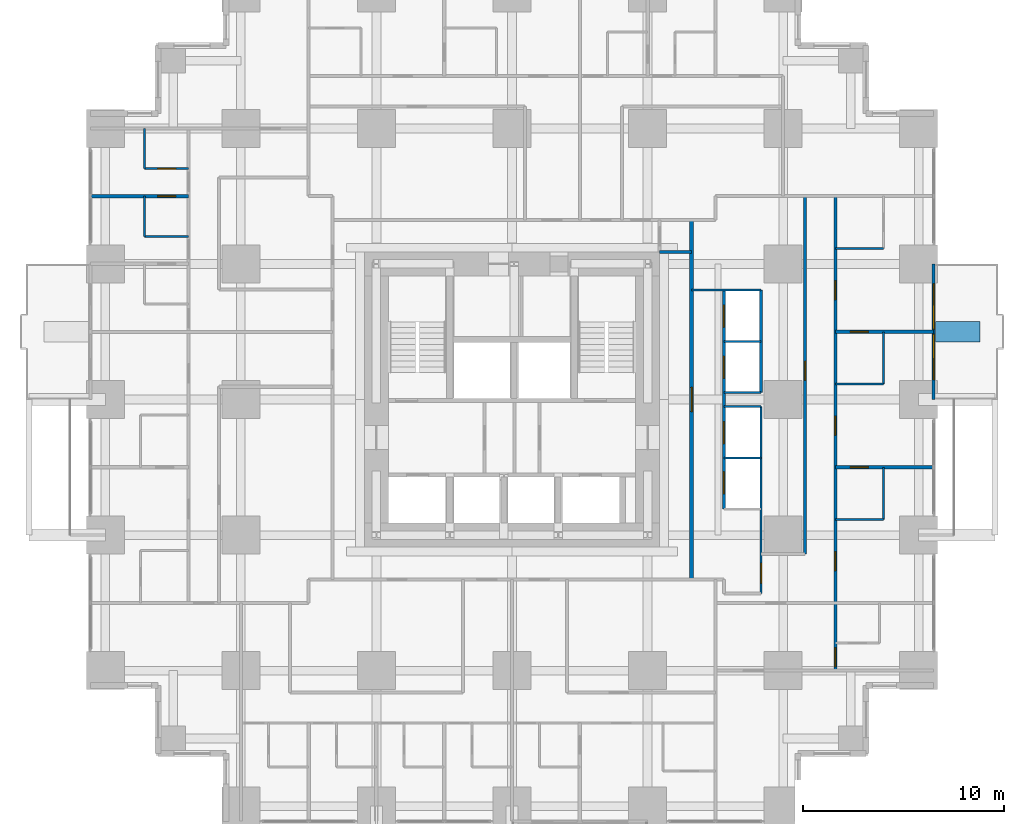
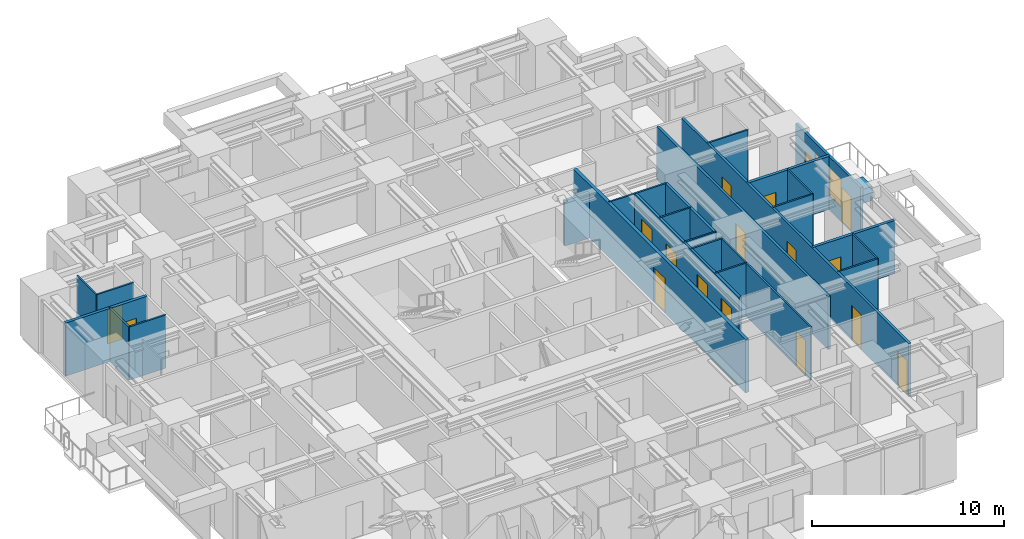
# One storey, part 11 of 14: 26 walls, 17 doors, 2 windows, 19 openings.
"""IFC4 building model written with IfcOpenShell, lengths in metres."""

from ifc_helpers import new_model, si_unit, direction, frame, frame_2d, origin, place, context, subcontext, project, spatial, rectangle, extrude, material, layer, layer_set, type_object, element, fill, save


model = new_model("IFC4")

# Units and contexts
model_context = context("Model", 3, precision=1e-05, world=origin(), true_north=direction((0.0, 1.0)))
body_context = subcontext(model_context, "Body", "Model", "MODEL_VIEW")
ifc_project = project(units=[si_unit("LENGTHUNIT", "METRE"), si_unit("AREAUNIT", "SQUARE_METRE"), si_unit("VOLUMEUNIT", "CUBIC_METRE"), si_unit("PLANEANGLEUNIT", "RADIAN"), si_unit("MASSUNIT", "GRAM", prefix="KILO")], contexts=[model_context])

# Site, building, storey
site_placement = place(None, origin())
site = spatial("IfcSite", under=ifc_project, at=site_placement, CompositionType="ELEMENT")
building_placement = place(site_placement, origin())
building = spatial("IfcBuilding", under=site, at=building_placement, Name="Nyansa Garden Tower", CompositionType="ELEMENT")
storey_placement = place(building_placement, frame((0.0, 0.0, 21.60009765625)))
storey = spatial("IfcBuildingStorey", under=building, at=storey_placement, Name="L05", CompositionType="ELEMENT", Elevation=21.60009765625)

# Wall, opening, door
ifc_material_1 = material(Name="Dense blockwork, plastered both sides, 55 dB", Category="masonry")
ifc_layer_1 = layer(ifc_material_1, 0.175048828125)
ifc_layer_set_1 = layer_set([ifc_layer_1], Name="Acoustic party wall PW175")
wall_type_1 = type_object("IfcWallType", Name="Acoustic party wall PW175", PredefinedType="PARTITIONING", material=ifc_layer_set_1)
wall_1_placement = place(storey_placement, frame((-0.73388671875, 30.375, 0.0), z_axis=(0.0, 0.0, 1.0), x_axis=(1.0, 0.0, 0.0)))
wall_1 = element("IfcWall", 1, at=wall_1_placement, inside=storey, type_object=wall_type_1, Name="Party wall", PredefinedType="PARTITIONING", context=body_context, shape_type="SweptSolid", body=[
    extrude(rectangle(XDim=4.8837890625, YDim=0.175048828125, at=frame_2d((2.44189453125, 0.0))), origin(), (0.0, 0.0, 1.0), 3.375),
])
opening_1_placement = place(wall_1_placement, frame((3.333984375, 0.0, 0.0)))
opening_1 = element("IfcOpeningElement", 2, at=opening_1_placement, cuts=wall_1, Name="Opening D02", PredefinedType="OPENING", context=body_context, shape_type="SweptSolid", body=[
    extrude(rectangle(XDim=0.89990234375, YDim=2.199951171875, at=frame_2d((0.449951171875, 1.10009765625))), frame((0.0, 0.097412109375, 0.0), z_axis=(0.0, -1.0, 0.0), x_axis=(1.0, 0.0, 0.0)), (0.0, 0.0, 1.0), 0.195068359375),
])
ifc_material_2 = material(Name="Timber flush door", Category="wood")
door_type_1 = type_object("IfcDoorType", Name="En-suite door D02 900x2200", OperationType="SINGLE_SWING_RIGHT", PredefinedType="DOOR", material=ifc_material_2)
door_1_placement = place(opening_1_placement, origin())
door_1 = element("IfcDoor", 3, at=door_1_placement, inside=storey, type_object=door_type_1, Name="Door L05-064", OperationType="SINGLE_SWING_RIGHT", OverallHeight=2.199951171875, OverallWidth=0.89990234375, PredefinedType="DOOR", context=body_context, shape_type="SweptSolid", body=[
    extrude(rectangle(XDim=0.89990234375, YDim=2.199951171875, at=frame_2d((0.449951171875, 1.10009765625))), frame((0.0, 0.02490234375, 0.0), z_axis=(0.0, -1.0, 0.0), x_axis=(1.0, 0.0, 0.0)), (0.0, 0.0, 1.0), 0.050048828125),
])
fill(opening_1, door_1)

wall_2_placement = place(storey_placement, frame((36.35009765625, 16.875, 0.0), z_axis=(0.0, 0.0, 1.0), x_axis=(1.0, 0.0, 0.0)))
wall_2 = element("IfcWall", 4, at=wall_2_placement, inside=storey, type_object=wall_type_1, Name="Party wall", PredefinedType="PARTITIONING", context=body_context, shape_type="SweptSolid", body=[
    extrude(rectangle(XDim=4.8837890625, YDim=0.175048828125, at=frame_2d((2.44189453125, 0.0))), origin(), (0.0, 0.0, 1.0), 3.375),
])
opening_2_placement = place(wall_2_placement, frame((0.75, 0.0, 0.0)))
opening_2 = element("IfcOpeningElement", 5, at=opening_2_placement, cuts=wall_2, Name="Opening D02", PredefinedType="OPENING", context=body_context, shape_type="SweptSolid", body=[
    extrude(rectangle(XDim=0.89990234375, YDim=2.199951171875, at=frame_2d((0.449951171875, 1.10009765625))), frame((0.0, 0.097412109375, 0.0), z_axis=(0.0, -1.0, 0.0), x_axis=(1.0, 0.0, 0.0)), (0.0, 0.0, 1.0), 0.195068359375),
])
door_2_placement = place(opening_2_placement, origin())
door_2 = element("IfcDoor", 6, at=door_2_placement, inside=storey, type_object=door_type_1, Name="Door L05-044", OperationType="SINGLE_SWING_RIGHT", OverallHeight=2.199951171875, OverallWidth=0.89990234375, PredefinedType="DOOR", context=body_context, shape_type="SweptSolid", body=[
    extrude(rectangle(XDim=0.89990234375, YDim=2.199951171875, at=frame_2d((0.449951171875, 1.10009765625))), frame((0.0, 0.02490234375, 0.0), z_axis=(0.0, -1.0, 0.0), x_axis=(1.0, 0.0, 0.0)), (0.0, 0.0, 1.0), 0.050048828125),
])
fill(opening_2, door_2)

wall_3_placement = place(storey_placement, frame((36.35009765625, 23.625, 0.0), z_axis=(0.0, 0.0, 1.0), x_axis=(1.0, 0.0, 0.0)))
wall_3 = element("IfcWall", 7, at=wall_3_placement, inside=storey, type_object=wall_type_1, Name="Party wall", PredefinedType="PARTITIONING", context=body_context, shape_type="SweptSolid", body=[
    extrude(rectangle(XDim=4.8837890625, YDim=0.175048828125, at=frame_2d((2.44189453125, 0.0))), origin(), (0.0, 0.0, 1.0), 3.375),
])
opening_3_placement = place(wall_3_placement, frame((0.75, 0.0, 0.0)))
opening_3 = element("IfcOpeningElement", 8, at=opening_3_placement, cuts=wall_3, Name="Opening D02", PredefinedType="OPENING", context=body_context, shape_type="SweptSolid", body=[
    extrude(rectangle(XDim=0.89990234375, YDim=2.199951171875, at=frame_2d((0.449951171875, 1.10009765625))), frame((0.0, 0.097412109375, 0.0), z_axis=(0.0, -1.0, 0.0), x_axis=(1.0, 0.0, 0.0)), (0.0, 0.0, 1.0), 0.195068359375),
])
door_3_placement = place(opening_3_placement, origin())
door_3 = element("IfcDoor", 9, at=door_3_placement, inside=storey, type_object=door_type_1, Name="Door L05-042", OperationType="SINGLE_SWING_RIGHT", OverallHeight=2.199951171875, OverallWidth=0.89990234375, PredefinedType="DOOR", context=body_context, shape_type="SweptSolid", body=[
    extrude(rectangle(XDim=0.89990234375, YDim=2.199951171875, at=frame_2d((0.449951171875, 1.10009765625))), frame((0.0, 0.02490234375, 0.0), z_axis=(0.0, -1.0, 0.0), x_axis=(1.0, 0.0, 0.0)), (0.0, 0.0, 1.0), 0.050048828125),
])
fill(opening_3, door_3)

# Wall, openings, doors, windows
ifc_material_3 = material(Name="Black aluminium framed glazed screen", Category="aluminium")
ifc_layer_2 = layer(ifc_material_3, 0.14990234375)
ifc_layer_set_2 = layer_set([ifc_layer_2], Name="Balcony screen wall BW150")
wall_type_2 = type_object("IfcWallType", Name="Balcony screen wall BW150", PredefinedType="SOLIDWALL", material=ifc_layer_set_2)
wall_4_placement = place(storey_placement, frame((41.25, 27.0, 0.0), z_axis=(0.0, 0.0, 1.0), x_axis=(0.0, -1.0, 0.0)))
wall_4 = element("IfcWall", 10, at=wall_4_placement, inside=storey, type_object=wall_type_2, Name="Glazed screen wall L05 E", PredefinedType="SOLIDWALL", context=body_context, shape_type="SweptSolid", body=[
    extrude(rectangle(XDim=6.75, YDim=0.14990234375, at=frame_2d((3.375, 0.0))), origin(), (0.0, 0.0, 1.0), 3.375),
])
opening_4_placement = place(wall_4_placement, frame((0.995849609375, 0.0, 0.0)))
opening_4 = element("IfcOpeningElement", 11, at=opening_4_placement, cuts=wall_4, Name="Opening D20", PredefinedType="OPENING", context=body_context, shape_type="SweptSolid", body=[
    extrude(rectangle(XDim=1.0, YDim=2.199951171875, at=frame_2d((0.5, 1.10009765625))), frame((0.0, 0.0849609375, 0.0), z_axis=(0.0, -1.0, 0.0), x_axis=(1.0, 0.0, 0.0)), (0.0, 0.0, 1.0), 0.169921875),
])
opening_5_placement = place(wall_4_placement, frame((2.041748046875, 0.0, 0.89990234375)))
opening_5 = element("IfcOpeningElement", 12, at=opening_5_placement, cuts=wall_4, Name="Opening W6", PredefinedType="OPENING", context=body_context, shape_type="SweptSolid", body=[
    extrude(rectangle(XDim=1.199951171875, YDim=1.800048828125, at=frame_2d((0.60009765625, 0.89990234375))), frame((0.0, 0.0849609375, 0.0), z_axis=(0.0, -1.0, 0.0), x_axis=(1.0, 0.0, 0.0)), (0.0, 0.0, 1.0), 0.169921875),
])
opening_6_placement = place(wall_4_placement, frame((4.754150390625, 0.0, 0.0)))
opening_6 = element("IfcOpeningElement", 13, at=opening_6_placement, cuts=wall_4, Name="Opening D20", PredefinedType="OPENING", context=body_context, shape_type="SweptSolid", body=[
    extrude(rectangle(XDim=1.0, YDim=2.199951171875, at=frame_2d((0.5, 1.10009765625))), frame((0.0, 0.0849609375, 0.0), z_axis=(0.0, -1.0, 0.0), x_axis=(1.0, 0.0, 0.0)), (0.0, 0.0, 1.0), 0.169921875),
])
opening_7_placement = place(wall_4_placement, frame((3.50830078125, 0.0, 0.89990234375)))
opening_7 = element("IfcOpeningElement", 14, at=opening_7_placement, cuts=wall_4, Name="Opening W6", PredefinedType="OPENING", context=body_context, shape_type="SweptSolid", body=[
    extrude(rectangle(XDim=1.199951171875, YDim=1.800048828125, at=frame_2d((0.60009765625, 0.89990234375))), frame((0.0, 0.0849609375, 0.0), z_axis=(0.0, -1.0, 0.0), x_axis=(1.0, 0.0, 0.0)), (0.0, 0.0, 1.0), 0.169921875),
])
ifc_material_4 = material(Name="Black aluminium framed glazed door", Category="aluminium")
door_type_2 = type_object("IfcDoorType", Name="Balcony door D20 1000x2200", OperationType="NOTDEFINED", PredefinedType="DOOR", material=ifc_material_4)
door_4_placement = place(opening_4_placement, origin())
door_4 = element("IfcDoor", 15, at=door_4_placement, inside=storey, type_object=door_type_2, Name="Balcony door L05", OperationType="SINGLE_SWING_LEFT", OverallHeight=2.199951171875, OverallWidth=1.0, PredefinedType="DOOR", context=body_context, shape_type="SweptSolid", body=[
    extrude(rectangle(XDim=1.0, YDim=2.199951171875, at=frame_2d((0.5, 1.10009765625))), frame((0.0, 0.02490234375, 0.0), z_axis=(0.0, -1.0, 0.0), x_axis=(1.0, 0.0, 0.0)), (0.0, 0.0, 1.0), 0.050048828125),
])
fill(opening_4, door_4)
door_5_placement = place(opening_6_placement, origin())
door_5 = element("IfcDoor", 16, at=door_5_placement, inside=storey, type_object=door_type_2, Name="Balcony door L05", OperationType="SINGLE_SWING_RIGHT", OverallHeight=2.199951171875, OverallWidth=1.0, PredefinedType="DOOR", context=body_context, shape_type="SweptSolid", body=[
    extrude(rectangle(XDim=1.0, YDim=2.199951171875, at=frame_2d((0.5, 1.10009765625))), frame((0.0, 0.02490234375, 0.0), z_axis=(0.0, -1.0, 0.0), x_axis=(1.0, 0.0, 0.0)), (0.0, 0.0, 1.0), 0.050048828125),
])
fill(opening_6, door_5)
ifc_material_5 = material(Name="Black aluminium frame, dark tinted double glazing", Category="aluminium")
window_type = type_object("IfcWindowType", Name="Balcony window W6 1200x1800", PartitioningType="SINGLE_PANEL", PredefinedType="WINDOW", material=ifc_material_5)
window_1_placement = place(opening_5_placement, origin())
window_1 = element("IfcWindow", 17, at=window_1_placement, inside=storey, type_object=window_type, Name="Window L05", OverallHeight=1.800048828125, OverallWidth=1.199951171875, PartitioningType="SINGLE_PANEL", PredefinedType="WINDOW", context=body_context, shape_type="SweptSolid", body=[
    extrude(rectangle(XDim=1.199951171875, YDim=1.800048828125, at=frame_2d((0.60009765625, 0.89990234375))), frame((0.0, 0.030029296875, 0.0), z_axis=(0.0, -1.0, 0.0), x_axis=(1.0, 0.0, 0.0)), (0.0, 0.0, 1.0), 0.06005859375),
])
fill(opening_5, window_1)
window_2_placement = place(opening_7_placement, origin())
window_2 = element("IfcWindow", 18, at=window_2_placement, inside=storey, type_object=window_type, Name="Window L05", OverallHeight=1.800048828125, OverallWidth=1.199951171875, PartitioningType="SINGLE_PANEL", PredefinedType="WINDOW", context=body_context, shape_type="SweptSolid", body=[
    extrude(rectangle(XDim=1.199951171875, YDim=1.800048828125, at=frame_2d((0.60009765625, 0.89990234375))), frame((0.0, 0.030029296875, 0.0), z_axis=(0.0, -1.0, 0.0), x_axis=(1.0, 0.0, 0.0)), (0.0, 0.0, 1.0), 0.06005859375),
])
fill(opening_7, window_2)

# Wall, opening, door
ifc_material_6 = material(Name="Concrete blockwork, plastered, 60 minute fire resisting", Category="masonry")
ifc_layer_3 = layer(ifc_material_6, 0.199951171875)
ifc_layer_set_3 = layer_set([ifc_layer_3], Name="Corridor wall FW200")
wall_type_3 = type_object("IfcWallType", Name="Corridor wall FW200", PredefinedType="PARTITIONING", material=ifc_layer_set_3)
wall_5_placement = place(storey_placement, frame((29.199951171875, 11.300048828125, 0.0), z_axis=(0.0, 0.0, 1.0), x_axis=(0.0, 1.0, 0.0)))
wall_5 = element("IfcWall", 19, at=wall_5_placement, inside=storey, type_object=wall_type_3, Name="Corridor wall", PredefinedType="PARTITIONING", context=body_context, shape_type="SweptSolid", body=[
    extrude(rectangle(XDim=17.89990234375, YDim=0.199951171875, at=frame_2d((8.949951171875, 0.0))), origin(), (0.0, 0.0, 1.0), 3.375),
])
opening_8_placement = place(wall_5_placement, frame((8.35009765625, 0.0, 0.0)))
opening_8 = element("IfcOpeningElement", 20, at=opening_8_placement, cuts=wall_5, Name="Opening D06", PredefinedType="OPENING", context=body_context, shape_type="SweptSolid", body=[
    extrude(rectangle(XDim=1.199951171875, YDim=2.199951171875, at=frame_2d((0.60009765625, 1.10009765625))), frame((0.0, 0.10986328125, 0.0), z_axis=(0.0, -1.0, 0.0), x_axis=(1.0, 0.0, 0.0)), (0.0, 0.0, 1.0), 0.219970703125),
])
ifc_material_7 = material(Name="Steel door, 120 minute fire resisting", Category="steel")
door_type_3 = type_object("IfcDoorType", Name="Lobby door D06 1200x2200", OperationType="DOUBLE_DOOR_SINGLE_SWING", PredefinedType="DOOR", material=ifc_material_7)
door_6_placement = place(opening_8_placement, origin())
door_6 = element("IfcDoor", 21, at=door_6_placement, inside=storey, type_object=door_type_3, Name="Low-rise lift lobby door", OperationType="DOUBLE_DOOR_SINGLE_SWING", OverallHeight=2.199951171875, OverallWidth=1.199951171875, PredefinedType="DOOR", context=body_context, shape_type="SweptSolid", body=[
    extrude(rectangle(XDim=1.199951171875, YDim=2.199951171875, at=frame_2d((0.60009765625, 1.10009765625))), frame((0.0, 0.02490234375, 0.0), z_axis=(0.0, -1.0, 0.0), x_axis=(1.0, 0.0, 0.0)), (0.0, 0.0, 1.0), 0.050048828125),
])
fill(opening_8, door_6)

# Walls
ifc_material_8 = material(Name="Steel-stud shaft wall, two layers fire-rated board, EI 120", Category="steel")
ifc_layer_4 = layer(ifc_material_8, 0.10009765625)
ifc_layer_set_4 = layer_set([ifc_layer_4], Name="Lift shaft wall SW100")
wall_type_4 = type_object("IfcWallType", Name="Lift shaft wall SW100", PredefinedType="SHEAR", material=ifc_layer_set_4)
wall_6_placement = place(storey_placement, frame((29.199951171875, 25.699951171875, 0.0), z_axis=(0.0, 0.0, 1.0), x_axis=(1.0, 0.0, 0.0)))
element("IfcWall", 22, at=wall_6_placement, inside=storey, type_object=wall_type_4, Name="Lift shaft wall", PredefinedType="SHEAR", context=body_context, shape_type="SweptSolid", body=[
    extrude(rectangle(XDim=3.449951171875, YDim=0.10009765625, at=frame_2d((1.72509765625, 0.0))), origin(), (0.0, 0.0, 1.0), 3.375),
])
for number, where, z_axis, x_axis, name in (
    (23, (30.800048828125, 17.35009765625, 0.0), (0.0, 0.0, 1.0), (1.0, 0.0, 0.0), "Lift shaft wall"),
    (24, (30.800048828125, 19.89990234375, 0.0), (0.0, 0.0, 1.0), (1.0, 0.0, 0.0), "Lift shaft wall"),
    (25, (30.800048828125, 20.60009765625, 0.0), (0.0, 0.0, 1.0), (1.0, 0.0, 0.0), "Lift shaft wall"),
    (26, (30.800048828125, 23.14990234375, 0.0), (0.0, 0.0, 1.0), (1.0, 0.0, 0.0), "Lift shaft wall"),
):
    element("IfcWall", number, at=place(storey_placement, frame(where, z_axis=z_axis, x_axis=x_axis)), inside=storey, type_object=wall_type_4, Name=name, PredefinedType="SHEAR", context=body_context, shape_type="SweptSolid", body=[
        extrude(rectangle(XDim=1.849853515625, YDim=0.10009765625, at=frame_2d((0.9248046875, 0.0))), origin(), (0.0, 0.0, 1.0), 3.375),
    ])

# Wall, opening, door
wall_7_placement = place(storey_placement, frame((32.64990234375, 10.60009765625, 0.0), z_axis=(0.0, 0.0, 1.0), x_axis=(0.0, 1.0, 0.0)))
wall_7 = element("IfcWall", 27, at=wall_7_placement, inside=storey, type_object=wall_type_4, Name="Lift shaft wall", PredefinedType="SHEAR", context=body_context, shape_type="SweptSolid", body=[
    extrude(rectangle(XDim=9.2998046875, YDim=0.10009765625, at=frame_2d((4.64990234375, 0.0))), origin(), (0.0, 0.0, 1.0), 3.375),
])
opening_9_placement = place(wall_7_placement, frame((0.5, 0.0, 0.0)))
opening_9 = element("IfcOpeningElement", 28, at=opening_9_placement, cuts=wall_7, Name="Opening D03", PredefinedType="OPENING", context=body_context, shape_type="SweptSolid", body=[
    extrude(rectangle(XDim=1.0, YDim=2.199951171875, at=frame_2d((0.5, 1.10009765625))), frame((0.0, 0.06005859375, 0.0), z_axis=(0.0, -1.0, 0.0), x_axis=(1.0, 0.0, 0.0)), (0.0, 0.0, 1.0), 0.1201171875),
])
ifc_material_9 = material(Name="Timber flush door, 60 minute fire resisting", Category="wood")
door_type_4 = type_object("IfcDoorType", Name="Cluster entrance door D03 1000x2200", OperationType="SINGLE_SWING_LEFT", PredefinedType="DOOR", material=ifc_material_9)
door_7_placement = place(opening_9_placement, origin())
door_7 = element("IfcDoor", 29, at=door_7_placement, inside=storey, type_object=door_type_4, Name="Door L05-045", OperationType="SINGLE_SWING_LEFT", OverallHeight=2.199951171875, OverallWidth=1.0, PredefinedType="DOOR", context=body_context, shape_type="SweptSolid", body=[
    extrude(rectangle(XDim=1.0, YDim=2.199951171875, at=frame_2d((0.5, 1.10009765625))), frame((0.0, 0.02490234375, 0.0), z_axis=(0.0, -1.0, 0.0), x_axis=(1.0, 0.0, 0.0)), (0.0, 0.0, 1.0), 0.050048828125),
])
fill(opening_9, door_7)

# Wall
ifc_material_10 = material(Name="Blockwork, plastered both sides", Category="masonry")
ifc_layer_5 = layer(ifc_material_10, 0.14990234375)
ifc_layer_set_5 = layer_set([ifc_layer_5], Name="Partition PW150")
wall_type_5 = type_object("IfcWallType", Name="Partition PW150", PredefinedType="PARTITIONING", material=ifc_layer_set_5)
wall_8_placement = place(storey_placement, frame((27.60009765625, 27.60009765625, 0.0), z_axis=(0.0, 0.0, 1.0), x_axis=(1.0, 0.0, 0.0)))
element("IfcWall", 30, at=wall_8_placement, inside=storey, type_object=wall_type_5, Name="Partition", PredefinedType="PARTITIONING", context=body_context, shape_type="SweptSolid", body=[
    extrude(rectangle(XDim=1.599853515625, YDim=0.14990234375, at=frame_2d((0.7998046875, 0.0))), origin(), (0.0, 0.0, 1.0), 2.876953125),
])

# Wall, openings, doors
wall_9_placement = place(storey_placement, frame((30.800048828125, 14.800048828125, 0.0), z_axis=(0.0, 0.0, 1.0), x_axis=(0.0, 1.0, 0.0)))
wall_9 = element("IfcWall", 31, at=wall_9_placement, inside=storey, type_object=wall_type_5, Name="Partition", PredefinedType="PARTITIONING", context=body_context, shape_type="SweptSolid", body=[
    extrude(rectangle(XDim=10.89990234375, YDim=0.14990234375, at=frame_2d((5.449951171875, 0.0))), origin(), (0.0, 0.0, 1.0), 3.375),
])
opening_10_placement = place(wall_9_placement, frame((0.75, 0.0, 0.0)))
opening_10 = element("IfcOpeningElement", 32, at=opening_10_placement, cuts=wall_9, Name="Opening LD-A", PredefinedType="OPENING", context=body_context, shape_type="SweptSolid", body=[
    extrude(rectangle(XDim=1.10009765625, YDim=2.199951171875, at=frame_2d((0.550048828125, 1.10009765625))), frame((0.0, 0.0849609375, 0.0), z_axis=(0.0, -1.0, 0.0), x_axis=(1.0, 0.0, 0.0)), (0.0, 0.0, 1.0), 0.169921875),
])
opening_11_placement = place(wall_9_placement, frame((3.25, 0.0, 0.0)))
opening_11 = element("IfcOpeningElement", 33, at=opening_11_placement, cuts=wall_9, Name="Opening LD-A", PredefinedType="OPENING", context=body_context, shape_type="SweptSolid", body=[
    extrude(rectangle(XDim=1.10009765625, YDim=2.199951171875, at=frame_2d((0.550048828125, 1.10009765625))), frame((0.0, 0.0849609375, 0.0), z_axis=(0.0, -1.0, 0.0), x_axis=(1.0, 0.0, 0.0)), (0.0, 0.0, 1.0), 0.169921875),
])
opening_12_placement = place(wall_9_placement, frame((6.5, 0.0, 0.0)))
opening_12 = element("IfcOpeningElement", 34, at=opening_12_placement, cuts=wall_9, Name="Opening LD-A", PredefinedType="OPENING", context=body_context, shape_type="SweptSolid", body=[
    extrude(rectangle(XDim=1.10009765625, YDim=2.199951171875, at=frame_2d((0.550048828125, 1.10009765625))), frame((0.0, 0.0849609375, 0.0), z_axis=(0.0, -1.0, 0.0), x_axis=(1.0, 0.0, 0.0)), (0.0, 0.0, 1.0), 0.169921875),
])
opening_13_placement = place(wall_9_placement, frame((9.050048828125, 0.0, 0.0)))
opening_13 = element("IfcOpeningElement", 35, at=opening_13_placement, cuts=wall_9, Name="Opening LD-A", PredefinedType="OPENING", context=body_context, shape_type="SweptSolid", body=[
    extrude(rectangle(XDim=1.10009765625, YDim=2.199951171875, at=frame_2d((0.550048828125, 1.10009765625))), frame((0.0, 0.0849609375, 0.0), z_axis=(0.0, -1.0, 0.0), x_axis=(1.0, 0.0, 0.0)), (0.0, 0.0, 1.0), 0.169921875),
])
ifc_material_11 = material(Name="Stainless steel centre-opening landing door of the low-rise lift, E 120", Category="steel")
door_type_5 = type_object("IfcDoorType", Name="Lift landing door LD-A 1100x2200", OperationType="DOUBLE_DOOR_SLIDING", PredefinedType="DOOR", material=ifc_material_11)
door_8_placement = place(opening_10_placement, origin())
door_8 = element("IfcDoor", 36, at=door_8_placement, inside=storey, type_object=door_type_5, Name="Landing door A1", OperationType="DOUBLE_DOOR_SLIDING", OverallHeight=2.199951171875, OverallWidth=1.10009765625, PredefinedType="DOOR", context=body_context, shape_type="SweptSolid", body=[
    extrude(rectangle(XDim=1.10009765625, YDim=2.199951171875, at=frame_2d((0.550048828125, 1.10009765625))), frame((0.0, 0.02490234375, 0.0), z_axis=(0.0, -1.0, 0.0), x_axis=(1.0, 0.0, 0.0)), (0.0, 0.0, 1.0), 0.050048828125),
])
fill(opening_10, door_8)
door_9_placement = place(opening_11_placement, origin())
door_9 = element("IfcDoor", 37, at=door_9_placement, inside=storey, type_object=door_type_5, Name="Landing door A2", OperationType="DOUBLE_DOOR_SLIDING", OverallHeight=2.199951171875, OverallWidth=1.10009765625, PredefinedType="DOOR", context=body_context, shape_type="SweptSolid", body=[
    extrude(rectangle(XDim=1.10009765625, YDim=2.199951171875, at=frame_2d((0.550048828125, 1.10009765625))), frame((0.0, 0.02490234375, 0.0), z_axis=(0.0, -1.0, 0.0), x_axis=(1.0, 0.0, 0.0)), (0.0, 0.0, 1.0), 0.050048828125),
])
fill(opening_11, door_9)
door_10_placement = place(opening_12_placement, origin())
door_10 = element("IfcDoor", 38, at=door_10_placement, inside=storey, type_object=door_type_5, Name="Landing door A3", OperationType="DOUBLE_DOOR_SLIDING", OverallHeight=2.199951171875, OverallWidth=1.10009765625, PredefinedType="DOOR", context=body_context, shape_type="SweptSolid", body=[
    extrude(rectangle(XDim=1.10009765625, YDim=2.199951171875, at=frame_2d((0.550048828125, 1.10009765625))), frame((0.0, 0.02490234375, 0.0), z_axis=(0.0, -1.0, 0.0), x_axis=(1.0, 0.0, 0.0)), (0.0, 0.0, 1.0), 0.050048828125),
])
fill(opening_12, door_10)
door_11_placement = place(opening_13_placement, origin())
door_11 = element("IfcDoor", 39, at=door_11_placement, inside=storey, type_object=door_type_5, Name="Landing door A4", OperationType="DOUBLE_DOOR_SLIDING", OverallHeight=2.199951171875, OverallWidth=1.10009765625, PredefinedType="DOOR", context=body_context, shape_type="SweptSolid", body=[
    extrude(rectangle(XDim=1.10009765625, YDim=2.199951171875, at=frame_2d((0.550048828125, 1.10009765625))), frame((0.0, 0.02490234375, 0.0), z_axis=(0.0, -1.0, 0.0), x_axis=(1.0, 0.0, 0.0)), (0.0, 0.0, 1.0), 0.050048828125),
])
fill(opening_13, door_11)

# Wall
wall_10_placement = place(storey_placement, frame((32.64990234375, 20.60009765625, 0.0), z_axis=(0.0, 0.0, 1.0), x_axis=(0.0, 1.0, 0.0)))
element("IfcWall", 40, at=wall_10_placement, inside=storey, type_object=wall_type_5, Name="Partition", PredefinedType="PARTITIONING", context=body_context, shape_type="SweptSolid", body=[
    extrude(rectangle(XDim=5.099853515625, YDim=0.14990234375, at=frame_2d((2.5498046875, 0.0))), origin(), (0.0, 0.0, 1.0), 3.375),
])

# Wall, opening, door
wall_11_placement = place(storey_placement, frame((34.85009765625, 12.550048828125, 0.0), z_axis=(0.0, 0.0, 1.0), x_axis=(0.0, 1.0, 0.0)))
wall_11 = element("IfcWall", 41, at=wall_11_placement, inside=storey, type_object=wall_type_5, Name="Partition", PredefinedType="PARTITIONING", context=body_context, shape_type="SweptSolid", body=[
    extrude(rectangle(XDim=17.824951171875, YDim=0.14990234375, at=frame_2d((8.91259765625, 0.0))), origin(), (0.0, 0.0, 1.0), 3.375),
])
opening_14_placement = place(wall_11_placement, frame((8.64990234375, 0.0, 0.0)))
opening_14 = element("IfcOpeningElement", 42, at=opening_14_placement, cuts=wall_11, Name="Opening D01", PredefinedType="OPENING", context=body_context, shape_type="SweptSolid", body=[
    extrude(rectangle(XDim=0.949951171875, YDim=2.199951171875, at=frame_2d((0.47509765625, 1.10009765625))), frame((0.0, 0.0849609375, 0.0), z_axis=(0.0, -1.0, 0.0), x_axis=(1.0, 0.0, 0.0)), (0.0, 0.0, 1.0), 0.169921875),
])
ifc_material_12 = material(Name="Timber flush door, 30 minute fire resisting", Category="wood")
door_type_6 = type_object("IfcDoorType", Name="Bedroom door D01 950x2200", OperationType="SINGLE_SWING_LEFT", PredefinedType="DOOR", material=ifc_material_12)
door_12_placement = place(opening_14_placement, origin())
door_12 = element("IfcDoor", 43, at=door_12_placement, inside=storey, type_object=door_type_6, Name="Door L05-046", OperationType="SINGLE_SWING_LEFT", OverallHeight=2.199951171875, OverallWidth=0.949951171875, PredefinedType="DOOR", context=body_context, shape_type="SweptSolid", body=[
    extrude(rectangle(XDim=0.949951171875, YDim=2.199951171875, at=frame_2d((0.47509765625, 1.10009765625))), frame((0.0, 0.02490234375, 0.0), z_axis=(0.0, -1.0, 0.0), x_axis=(1.0, 0.0, 0.0)), (0.0, 0.0, 1.0), 0.050048828125),
])
fill(opening_14, door_12)

# Wall, openings, doors
wall_12_placement = place(storey_placement, frame((36.35009765625, 6.75, 0.0), z_axis=(0.0, 0.0, 1.0), x_axis=(0.0, 1.0, 0.0)))
wall_12 = element("IfcWall", 44, at=wall_12_placement, inside=storey, type_object=wall_type_5, Name="Partition", PredefinedType="PARTITIONING", context=body_context, shape_type="SweptSolid", body=[
    extrude(rectangle(XDim=23.625, YDim=0.14990234375, at=frame_2d((11.8125, 0.0))), origin(), (0.0, 0.0, 1.0), 3.375),
])
opening_15_placement = place(wall_12_placement, frame((0.199951171875, 0.0, 0.0)))
opening_15 = element("IfcOpeningElement", 45, at=opening_15_placement, cuts=wall_12, Name="Opening D01", PredefinedType="OPENING", context=body_context, shape_type="SweptSolid", body=[
    extrude(rectangle(XDim=0.949951171875, YDim=2.199951171875, at=frame_2d((0.47509765625, 1.10009765625))), frame((0.0, 0.0849609375, 0.0), z_axis=(0.0, -1.0, 0.0), x_axis=(1.0, 0.0, 0.0)), (0.0, 0.0, 1.0), 0.169921875),
])
opening_16_placement = place(wall_12_placement, frame((18.47509765625, 0.0, 0.0)))
opening_16 = element("IfcOpeningElement", 46, at=opening_16_placement, cuts=wall_12, Name="Opening D14", PredefinedType="OPENING", context=body_context, shape_type="SweptSolid", body=[
    extrude(rectangle(XDim=0.949951171875, YDim=2.199951171875, at=frame_2d((0.47509765625, 1.10009765625))), frame((0.0, 0.0849609375, 0.0), z_axis=(0.0, -1.0, 0.0), x_axis=(1.0, 0.0, 0.0)), (0.0, 0.0, 1.0), 0.169921875),
])
opening_17_placement = place(wall_12_placement, frame((11.72509765625, 0.0, 0.0)))
opening_17 = element("IfcOpeningElement", 47, at=opening_17_placement, cuts=wall_12, Name="Opening D14", PredefinedType="OPENING", context=body_context, shape_type="SweptSolid", body=[
    extrude(rectangle(XDim=0.949951171875, YDim=2.199951171875, at=frame_2d((0.47509765625, 1.10009765625))), frame((0.0, 0.0849609375, 0.0), z_axis=(0.0, -1.0, 0.0), x_axis=(1.0, 0.0, 0.0)), (0.0, 0.0, 1.0), 0.169921875),
])
opening_18_placement = place(wall_12_placement, frame((4.97509765625, 0.0, 0.0)))
opening_18 = element("IfcOpeningElement", 48, at=opening_18_placement, cuts=wall_12, Name="Opening D14", PredefinedType="OPENING", context=body_context, shape_type="SweptSolid", body=[
    extrude(rectangle(XDim=0.949951171875, YDim=2.199951171875, at=frame_2d((0.47509765625, 1.10009765625))), frame((0.0, 0.0849609375, 0.0), z_axis=(0.0, -1.0, 0.0), x_axis=(1.0, 0.0, 0.0)), (0.0, 0.0, 1.0), 0.169921875),
])
door_13_placement = place(opening_15_placement, origin())
door_13 = element("IfcDoor", 49, at=door_13_placement, inside=storey, type_object=door_type_6, Name="Door L05-036", OperationType="SINGLE_SWING_LEFT", OverallHeight=2.199951171875, OverallWidth=0.949951171875, PredefinedType="DOOR", context=body_context, shape_type="SweptSolid", body=[
    extrude(rectangle(XDim=0.949951171875, YDim=2.199951171875, at=frame_2d((0.47509765625, 1.10009765625))), frame((0.0, 0.02490234375, 0.0), z_axis=(0.0, -1.0, 0.0), x_axis=(1.0, 0.0, 0.0)), (0.0, 0.0, 1.0), 0.050048828125),
])
fill(opening_15, door_13)
ifc_material_13 = material(Name="Timber flush door, 60 minute fire resisting, self-closing", Category="wood")
door_type_7 = type_object("IfcDoorType", Name="Studio entrance door D14 950x2200", OperationType="SINGLE_SWING_LEFT", PredefinedType="DOOR", material=ifc_material_13)
door_14_placement = place(opening_16_placement, origin())
door_14 = element("IfcDoor", 50, at=door_14_placement, inside=storey, type_object=door_type_7, Name="Door L05-039", OperationType="SINGLE_SWING_LEFT", OverallHeight=2.199951171875, OverallWidth=0.949951171875, PredefinedType="DOOR", context=body_context, shape_type="SweptSolid", body=[
    extrude(rectangle(XDim=0.949951171875, YDim=2.199951171875, at=frame_2d((0.47509765625, 1.10009765625))), frame((0.0, 0.02490234375, 0.0), z_axis=(0.0, -1.0, 0.0), x_axis=(1.0, 0.0, 0.0)), (0.0, 0.0, 1.0), 0.050048828125),
])
fill(opening_16, door_14)
door_15_placement = place(opening_17_placement, origin())
door_15 = element("IfcDoor", 51, at=door_15_placement, inside=storey, type_object=door_type_7, Name="Door L05-041", OperationType="SINGLE_SWING_LEFT", OverallHeight=2.199951171875, OverallWidth=0.949951171875, PredefinedType="DOOR", context=body_context, shape_type="SweptSolid", body=[
    extrude(rectangle(XDim=0.949951171875, YDim=2.199951171875, at=frame_2d((0.47509765625, 1.10009765625))), frame((0.0, 0.02490234375, 0.0), z_axis=(0.0, -1.0, 0.0), x_axis=(1.0, 0.0, 0.0)), (0.0, 0.0, 1.0), 0.050048828125),
])
fill(opening_17, door_15)
door_16_placement = place(opening_18_placement, origin())
door_16 = element("IfcDoor", 52, at=door_16_placement, inside=storey, type_object=door_type_7, Name="Door L05-043", OperationType="SINGLE_SWING_LEFT", OverallHeight=2.199951171875, OverallWidth=0.949951171875, PredefinedType="DOOR", context=body_context, shape_type="SweptSolid", body=[
    extrude(rectangle(XDim=0.949951171875, YDim=2.199951171875, at=frame_2d((0.47509765625, 1.10009765625))), frame((0.0, 0.02490234375, 0.0), z_axis=(0.0, -1.0, 0.0), x_axis=(1.0, 0.0, 0.0)), (0.0, 0.0, 1.0), 0.050048828125),
])
fill(opening_18, door_16)

# Walls
ifc_material_14 = material(Name="Concrete C40/50 planter, waterproofed", Category="concrete")
ifc_layer_6 = layer(ifc_material_14, 1.0)
ifc_layer_set_6 = layer_set([ifc_layer_6], Name="Tree planter TP1")
wall_type_6 = type_object("IfcWallType", Name="Tree planter TP1", PredefinedType="USERDEFINED", material=ifc_layer_set_6)
wall_13_placement = place(storey_placement, frame((41.35009765625, 23.625, 0.0), z_axis=(0.0, 0.0, 1.0), x_axis=(1.0, 0.0, 0.0)))
element("IfcWall", 53, at=wall_13_placement, inside=storey, type_object=wall_type_6, Name="Tree planter L05", ObjectType="TREE PLANTER", PredefinedType="USERDEFINED", context=body_context, shape_type="SweptSolid", body=[
    extrude(rectangle(XDim=2.199951171875, YDim=1.0, at=frame_2d((1.10009765625, 0.0))), origin(), (0.0, 0.0, 1.0), 0.89990234375),
])
ifc_material_15 = material(Name="Moisture resistant board on steel studs, tiled", Category="steel")
ifc_layer_7 = layer(ifc_material_15, 0.10009765625)
ifc_layer_set_7 = layer_set([ifc_layer_7], Name="Wet wall PW100")
wall_type_7 = type_object("IfcWallType", Name="Wet wall PW100", PredefinedType="PARTITIONING", material=ifc_layer_set_7)
wall_14_placement = place(storey_placement, frame((1.949951171875, 28.375, 0.0), z_axis=(0.0, 0.0, 1.0), x_axis=(0.0, 1.0, 0.0)))
element("IfcWall", 54, at=wall_14_placement, inside=storey, type_object=wall_type_7, Name="Wet wall", PredefinedType="PARTITIONING", context=body_context, shape_type="SweptSolid", body=[
    extrude(rectangle(XDim=2.0, YDim=0.10009765625, at=frame_2d((1.0, 0.0))), origin(), (0.0, 0.0, 1.0), 3.375),
])
wall_15_placement = place(storey_placement, frame((1.949951171875, 28.375, 0.0), z_axis=(0.0, 0.0, 1.0), x_axis=(1.0, 0.0, 0.0)))
element("IfcWall", 55, at=wall_15_placement, inside=storey, type_object=wall_type_7, Name="Wet wall", PredefinedType="PARTITIONING", context=body_context, shape_type="SweptSolid", body=[
    extrude(rectangle(XDim=2.199951171875, YDim=0.10009765625, at=frame_2d((1.10009765625, 0.0))), origin(), (0.0, 0.0, 1.0), 3.375),
])
wall_16_placement = place(storey_placement, frame((1.949951171875, 31.75, 0.0), z_axis=(0.0, 0.0, 1.0), x_axis=(0.0, 1.0, 0.0)))
element("IfcWall", 56, at=wall_16_placement, inside=storey, type_object=wall_type_7, Name="Wet wall", PredefinedType="PARTITIONING", context=body_context, shape_type="SweptSolid", body=[
    extrude(rectangle(XDim=2.0, YDim=0.10009765625, at=frame_2d((1.0, 0.0))), origin(), (0.0, 0.0, 1.0), 3.375),
])

# Wall, opening, door
wall_17_placement = place(storey_placement, frame((1.949951171875, 31.75, 0.0), z_axis=(0.0, 0.0, 1.0), x_axis=(1.0, 0.0, 0.0)))
wall_17 = element("IfcWall", 57, at=wall_17_placement, inside=storey, type_object=wall_type_7, Name="Wet wall", PredefinedType="PARTITIONING", context=body_context, shape_type="SweptSolid", body=[
    extrude(rectangle(XDim=2.199951171875, YDim=0.10009765625, at=frame_2d((1.10009765625, 0.0))), origin(), (0.0, 0.0, 1.0), 3.375),
])
opening_19_placement = place(wall_17_placement, frame((0.64990234375, 0.0, 0.0)))
opening_19 = element("IfcOpeningElement", 58, at=opening_19_placement, cuts=wall_17, Name="Opening D02", PredefinedType="OPENING", context=body_context, shape_type="SweptSolid", body=[
    extrude(rectangle(XDim=0.89990234375, YDim=2.199951171875, at=frame_2d((0.449951171875, 1.10009765625))), frame((0.0, 0.06005859375, 0.0), z_axis=(0.0, -1.0, 0.0), x_axis=(1.0, 0.0, 0.0)), (0.0, 0.0, 1.0), 0.1201171875),
])
door_17_placement = place(opening_19_placement, origin())
door_17 = element("IfcDoor", 59, at=door_17_placement, inside=storey, type_object=door_type_1, Name="Door L05-062", OperationType="SINGLE_SWING_RIGHT", OverallHeight=2.199951171875, OverallWidth=0.89990234375, PredefinedType="DOOR", context=body_context, shape_type="SweptSolid", body=[
    extrude(rectangle(XDim=0.89990234375, YDim=2.199951171875, at=frame_2d((0.449951171875, 1.10009765625))), frame((0.0, 0.02490234375, 0.0), z_axis=(0.0, -1.0, 0.0), x_axis=(1.0, 0.0, 0.0)), (0.0, 0.0, 1.0), 0.050048828125),
])
fill(opening_19, door_17)

# Walls
for number, where, z_axis, x_axis, name in (
    (60, (36.35009765625, 14.27490234375, 0.0), (0.0, 0.0, 1.0), (1.0, 0.0, 0.0), "Wet wall"),
    (61, (36.35009765625, 21.02490234375, 0.0), (0.0, 0.0, 1.0), (1.0, 0.0, 0.0), "Wet wall"),
    (62, (36.35009765625, 27.77490234375, 0.0), (0.0, 0.0, 1.0), (1.0, 0.0, 0.0), "Wet wall"),
):
    element("IfcWall", number, at=place(storey_placement, frame(where, z_axis=z_axis, x_axis=x_axis)), inside=storey, type_object=wall_type_7, Name=name, PredefinedType="PARTITIONING", context=body_context, shape_type="SweptSolid", body=[
        extrude(rectangle(XDim=2.39990234375, YDim=0.10009765625, at=frame_2d((1.199951171875, 0.0))), origin(), (0.0, 0.0, 1.0), 3.375),
    ])
for number, where, z_axis, x_axis, name in (
    (63, (38.75, 14.27490234375, 0.0), (0.0, 0.0, 1.0), (0.0, 1.0, 0.0), "Wet wall"),
    (64, (38.75, 21.02490234375, 0.0), (0.0, 0.0, 1.0), (0.0, 1.0, 0.0), "Wet wall"),
):
    element("IfcWall", number, at=place(storey_placement, frame(where, z_axis=z_axis, x_axis=x_axis)), inside=storey, type_object=wall_type_7, Name=name, PredefinedType="PARTITIONING", context=body_context, shape_type="SweptSolid", body=[
        extrude(rectangle(XDim=2.60009765625, YDim=0.10009765625, at=frame_2d((1.300048828125, 0.0))), origin(), (0.0, 0.0, 1.0), 3.375),
    ])

save(model, "model.ifc")
